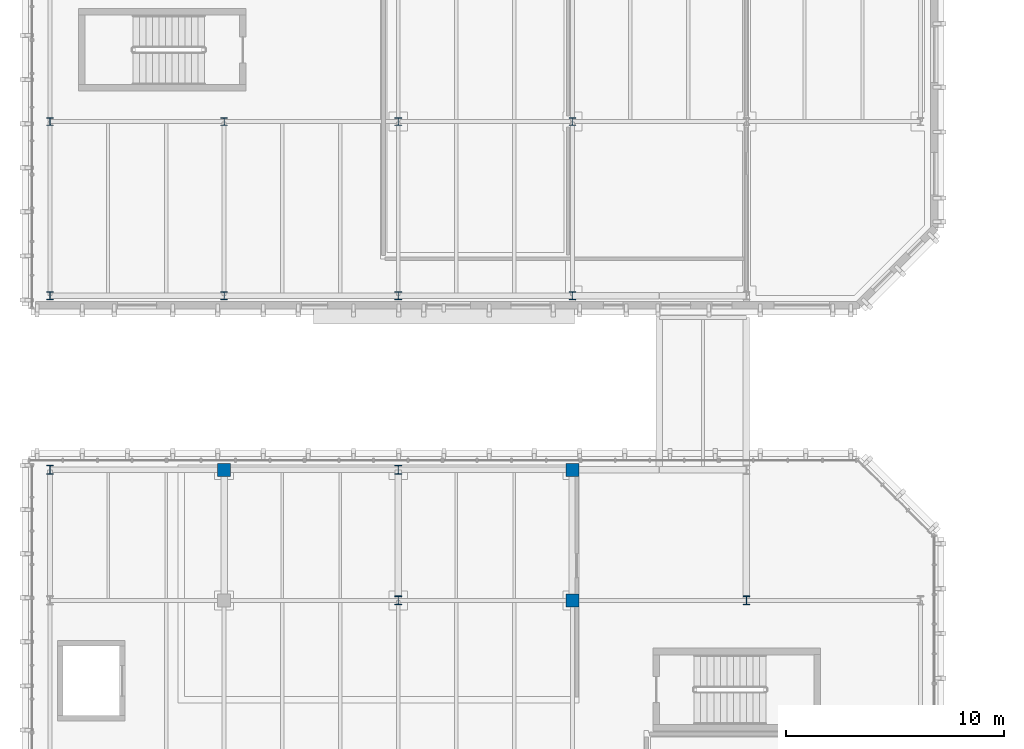
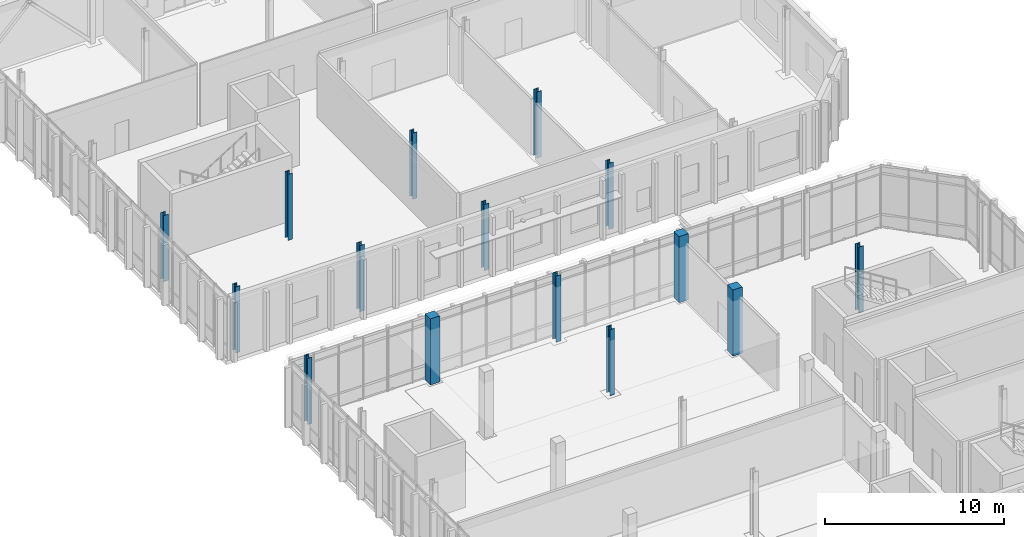
# One storey, part 2 of 62: 15 columns.
"""IFC4 building model written with IfcOpenShell, lengths in metres."""

from ifc_helpers import new_model, si_unit, direction, frame, origin, origin_2d, place, context, subcontext, project, spatial, rectangle, i_section, extrude, material, material_profile, profile_set, type_object, element, save


model = new_model("IFC4")

# Units and contexts
model_context = context("Model", 3, precision=1e-05, world=origin(), true_north=direction((0.0, 1.0)))
body_context = subcontext(model_context, "Body", "Model", "MODEL_VIEW")
ifc_project = project(units=[si_unit("LENGTHUNIT", "METRE"), si_unit("AREAUNIT", "SQUARE_METRE"), si_unit("VOLUMEUNIT", "CUBIC_METRE"), si_unit("PLANEANGLEUNIT", "RADIAN"), si_unit("MASSUNIT", "GRAM", prefix="KILO")], contexts=[model_context])

# Site, building, storey
site_placement = place(None, origin())
site = spatial("IfcSite", under=ifc_project, at=site_placement, CompositionType="ELEMENT")
building_placement = place(site_placement, origin())
building = spatial("IfcBuilding", under=site, at=building_placement, Name="Cymarion Research Institute", CompositionType="ELEMENT")
storey_placement = place(building_placement, frame((0.0, 0.0, 18.300048828125)))
storey = spatial("IfcBuildingStorey", under=building, at=storey_placement, Name="L04", CompositionType="ELEMENT", Elevation=18.300048828125)

# Columns
ifc_material_1 = material(Name="Steel S355", Category="steel")
ifc_material_profile_1 = material_profile(ifc_material_1, i_section(OverallWidth=0.300048828125, OverallDepth=0.39990234375, WebThickness=0.013427734375, FlangeThickness=0.02392578125, FilletRadius=0.027099609375, at=origin_2d()), Name="HEB 400")
ifc_profile_set_1 = profile_set([ifc_material_profile_1], Name="Steel S355")
column_type_1 = type_object("IfcColumnType", Name="STRUCTURAL COLUMN C06 HEB 400", PredefinedType="COLUMN", material=ifc_profile_set_1)
for number, where, z_axis, x_axis, name in (
    (1, (6.60009765625, 77.5, 0.0), (0.0, 0.0, 1.0), (1.0, 0.0, 0.0), "L04 V4 column C06 #1025"),
    (2, (22.60009765625, 71.5, 0.0), (0.0, 0.0, 1.0), (1.0, 0.0, 0.0), "L04 V4 column C06 #1043"),
    (3, (22.60009765625, 77.5, 0.0), (0.0, 0.0, 1.0), (1.0, 0.0, 0.0), "L04 V4 column C06 #1044"),
    (4, (38.60009765625, 71.5, 0.0), (0.0, 0.0, 1.0), (1.0, 0.0, 0.0), "L04 V4 column C06 #1062"),
):
    element("IfcColumn", number, at=place(storey_placement, frame(where, z_axis=z_axis, x_axis=x_axis)), inside=storey, type_object=column_type_1, Name=name, PredefinedType="COLUMN", context=body_context, shape_type="SweptSolid", body=[
        extrude(i_section(OverallWidth=0.300048828125, OverallDepth=0.39990234375, WebThickness=0.013427734375, FlangeThickness=0.02392578125, FilletRadius=0.027099609375, at=origin_2d()), origin(), (0.0, 0.0, 1.0), 4.5),
    ])
ifc_material_profile_2 = material_profile(ifc_material_1, i_section(OverallWidth=0.300048828125, OverallDepth=0.360107421875, WebThickness=0.012451171875, FlangeThickness=0.0224609375, FilletRadius=0.027099609375, at=origin_2d()), Name="HEB 360")
ifc_profile_set_2 = profile_set([ifc_material_profile_2], Name="Steel S355")
column_type_2 = type_object("IfcColumnType", Name="STRUCTURAL COLUMN C07 HEB 360", PredefinedType="COLUMN", material=ifc_profile_set_2)
for number, where, z_axis, x_axis, name in (
    (5, (6.60009765625, 85.5, 0.0), (0.0, 0.0, 1.0), (1.0, 0.0, 0.0), "L04 V5 column C07 #1026"),
    (6, (14.60009765625, 85.5, 0.0), (0.0, 0.0, 1.0), (1.0, 0.0, 0.0), "L04 V5 column C07 #1036"),
    (7, (22.60009765625, 85.5, 0.0), (0.0, 0.0, 1.0), (1.0, 0.0, 0.0), "L04 V5 column C07 #1045"),
    (8, (30.60009765625, 85.5, 0.0), (0.0, 0.0, 1.0), (1.0, 0.0, 0.0), "L04 V5 column C07 #1055"),
):
    element("IfcColumn", number, at=place(storey_placement, frame(where, z_axis=z_axis, x_axis=x_axis)), inside=storey, type_object=column_type_2, Name=name, PredefinedType="COLUMN", context=body_context, shape_type="SweptSolid", body=[
        extrude(i_section(OverallWidth=0.300048828125, OverallDepth=0.360107421875, WebThickness=0.012451171875, FlangeThickness=0.0224609375, FilletRadius=0.027099609375, at=origin_2d()), origin(), (0.0, 0.0, 1.0), 4.5),
    ])
ifc_material_profile_3 = material_profile(ifc_material_1, i_section(OverallWidth=0.300048828125, OverallDepth=0.35009765625, WebThickness=0.010009765625, FlangeThickness=0.017578125, FilletRadius=0.027099609375, at=origin_2d()), Name="HEA 360")
ifc_profile_set_3 = profile_set([ifc_material_profile_3], Name="Steel S355")
column_type_3 = type_object("IfcColumnType", Name="STRUCTURAL COLUMN C12 HEA 360", PredefinedType="COLUMN", material=ifc_profile_set_3)
for number, where, z_axis, x_axis, name in (
    (9, (6.60009765625, 93.5, 0.0), (0.0, 0.0, 1.0), (1.0, 0.0, 0.0), "L04 V5 column C12 #1027"),
    (10, (14.60009765625, 93.5, 0.0), (0.0, 0.0, 1.0), (1.0, 0.0, 0.0), "L04 V5 column C12 #1037"),
    (11, (22.60009765625, 93.5, 0.0), (0.0, 0.0, 1.0), (1.0, 0.0, 0.0), "L04 V5 column C12 #1046"),
    (12, (30.60009765625, 93.5, 0.0), (0.0, 0.0, 1.0), (1.0, 0.0, 0.0), "L04 V5 column C12 #1056"),
):
    element("IfcColumn", number, at=place(storey_placement, frame(where, z_axis=z_axis, x_axis=x_axis)), inside=storey, type_object=column_type_3, Name=name, PredefinedType="COLUMN", context=body_context, shape_type="SweptSolid", body=[
        extrude(i_section(OverallWidth=0.300048828125, OverallDepth=0.35009765625, WebThickness=0.010009765625, FlangeThickness=0.017578125, FilletRadius=0.027099609375, at=origin_2d()), origin(), (0.0, 0.0, 1.0), 4.5),
    ])
ifc_material_2 = material(Name="Concrete C40/50", Category="concrete")
ifc_material_profile_4 = material_profile(ifc_material_2, rectangle(XDim=0.60009765625, YDim=0.60009765625, at=origin_2d()), Name="RC 600x600")
ifc_profile_set_4 = profile_set([ifc_material_profile_4], Name="Concrete C40/50")
column_type_4 = type_object("IfcColumnType", Name="STRUCTURAL COLUMN C18 RC 600x600", PredefinedType="COLUMN", material=ifc_profile_set_4)
for number, where, z_axis, x_axis, name in (
    (13, (14.60009765625, 77.5, 0.0), (0.0, 0.0, 1.0), (1.0, 0.0, 0.0), "L04 V4 column C18 #1035"),
    (14, (30.60009765625, 71.5, 0.0), (0.0, 0.0, 1.0), (1.0, 0.0, 0.0), "L04 V4 column C18 #1053"),
    (15, (30.60009765625, 77.5, 0.0), (0.0, 0.0, 1.0), (1.0, 0.0, 0.0), "L04 V4 column C18 #1054"),
):
    element("IfcColumn", number, at=place(storey_placement, frame(where, z_axis=z_axis, x_axis=x_axis)), inside=storey, type_object=column_type_4, Name=name, PredefinedType="COLUMN", context=body_context, shape_type="SweptSolid", body=[
        extrude(rectangle(XDim=0.60009765625, YDim=0.60009765625, at=origin_2d()), origin(), (0.0, 0.0, 1.0), 4.5),
    ])

save(model, "model.ifc")
